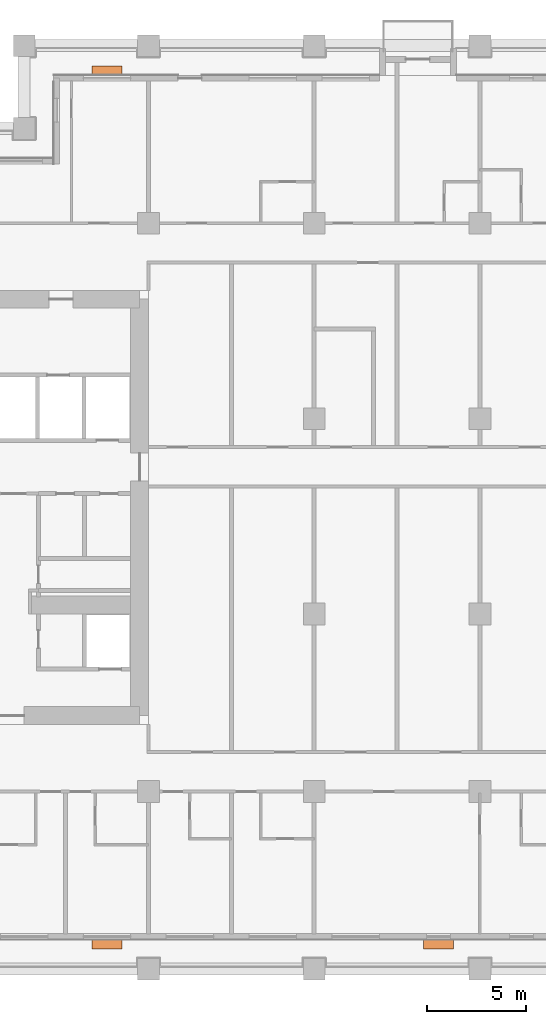
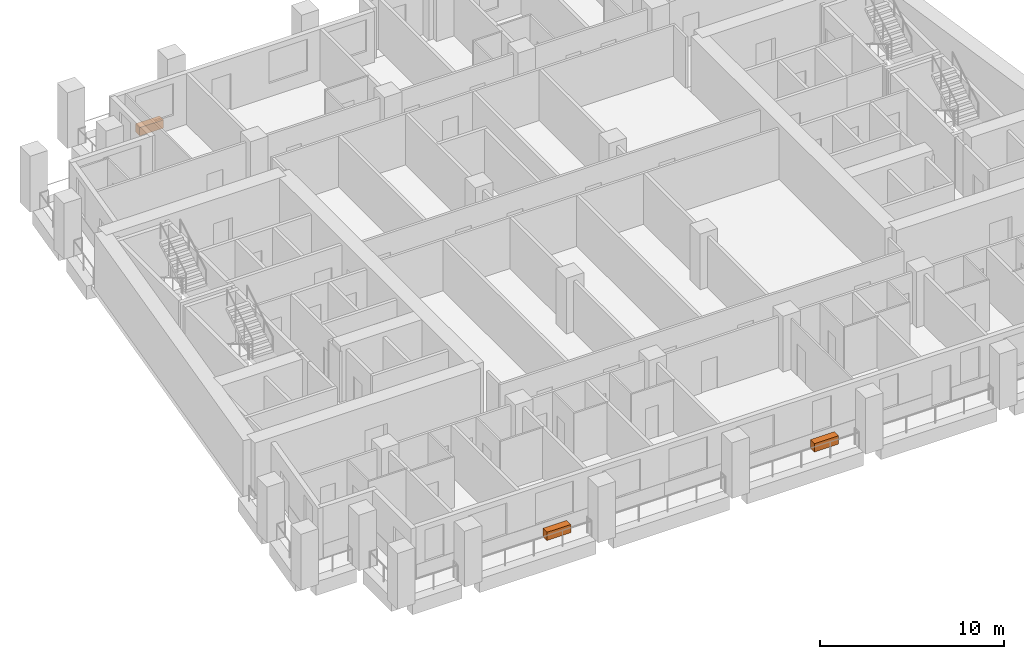
# One storey, part 14 of 14: 3 proxies.
"""IFC4 building model written with IfcOpenShell, lengths in metres."""

from ifc_helpers import new_model, si_unit, direction, frame, origin, origin_2d, place, context, subcontext, project, spatial, rectangle, extrude, element, save


model = new_model("IFC4")

# Units and contexts
model_context = context("Model", 3, precision=1e-05, world=origin(), true_north=direction((0.0, 1.0)))
body_context = subcontext(model_context, "Body", "Model", "MODEL_VIEW")
ifc_project = project(units=[si_unit("LENGTHUNIT", "METRE"), si_unit("AREAUNIT", "SQUARE_METRE"), si_unit("VOLUMEUNIT", "CUBIC_METRE"), si_unit("PLANEANGLEUNIT", "RADIAN"), si_unit("MASSUNIT", "GRAM", prefix="KILO")], contexts=[model_context])

# Site, building, storey
site_placement = place(None, origin())
site = spatial("IfcSite", under=ifc_project, at=site_placement, CompositionType="ELEMENT")
building_placement = place(site_placement, origin())
building = spatial("IfcBuilding", under=site, at=building_placement, Name="Candeia Pilgrim Tower and Theatre", CompositionType="ELEMENT")
storey_placement = place(building_placement, frame((0.0, 0.0, 173.699951171875)))
storey = spatial("IfcBuildingStorey", under=building, at=storey_placement, Name="L41", CompositionType="ELEMENT", Elevation=173.699951171875)

# Proxies
for number, where, z_axis, x_axis, name in (
    (1, (98.699951171875, 99.2548828125, 0.0), (0.0, 0.0, 1.0), (1.0, 0.0, 0.0), "Planter"),
    (2, (115.5, 99.2548828125, 0.0), (0.0, 0.0, 1.0), (1.0, 0.0, 0.0), "Planter"),
    (3, (98.699951171875, 143.544921875, 0.0), (0.0, 0.0, 1.0), (-1.0, 0.0, 0.0), "Planter"),
):
    element("IfcBuildingElementProxy", number, at=place(storey_placement, frame(where, z_axis=z_axis, x_axis=x_axis)), inside=storey, Name=name, ObjectType="PLANTER", PredefinedType="USERDEFINED", context=body_context, shape_type="SweptSolid", body=[
        extrude(rectangle(XDim=1.5, YDim=0.449951171875, at=origin_2d()), origin(), (0.0, 0.0, 1.0), 0.550048828125),
    ])

save(model, "model.ifc")
